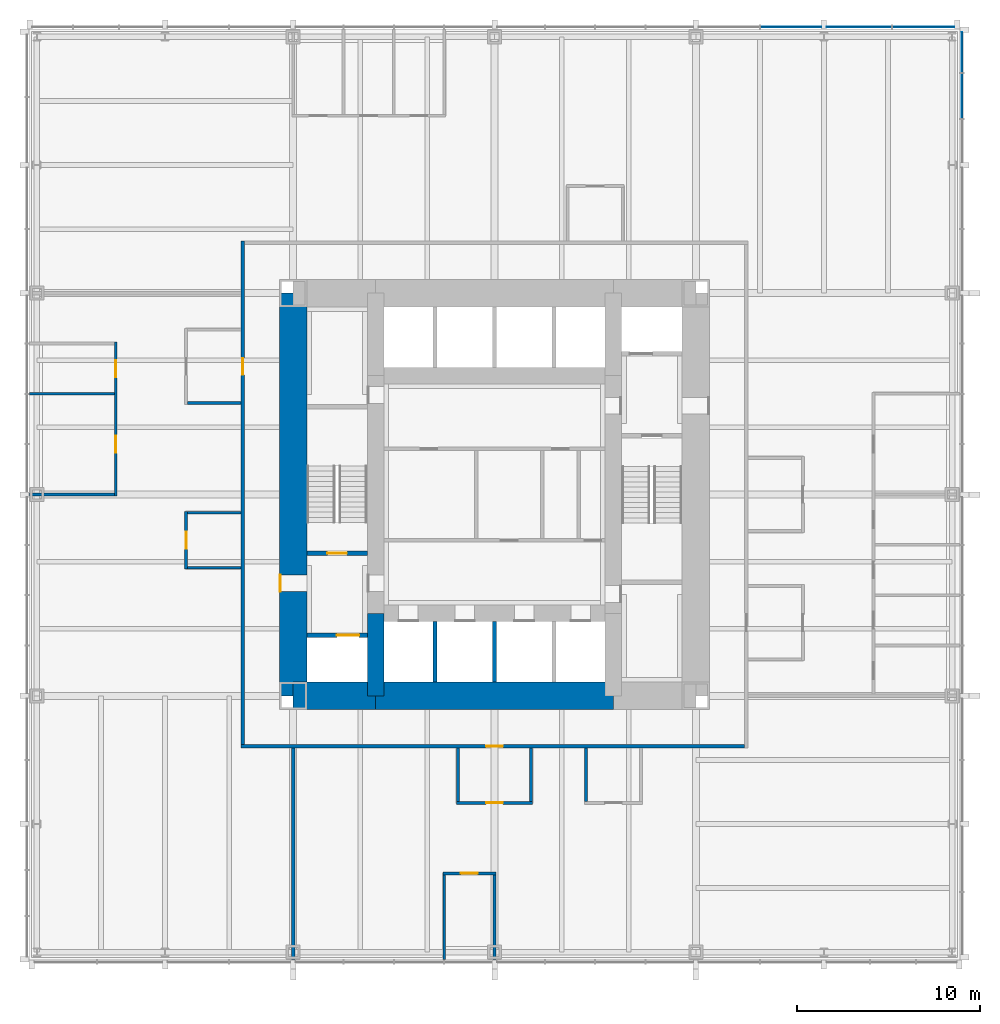
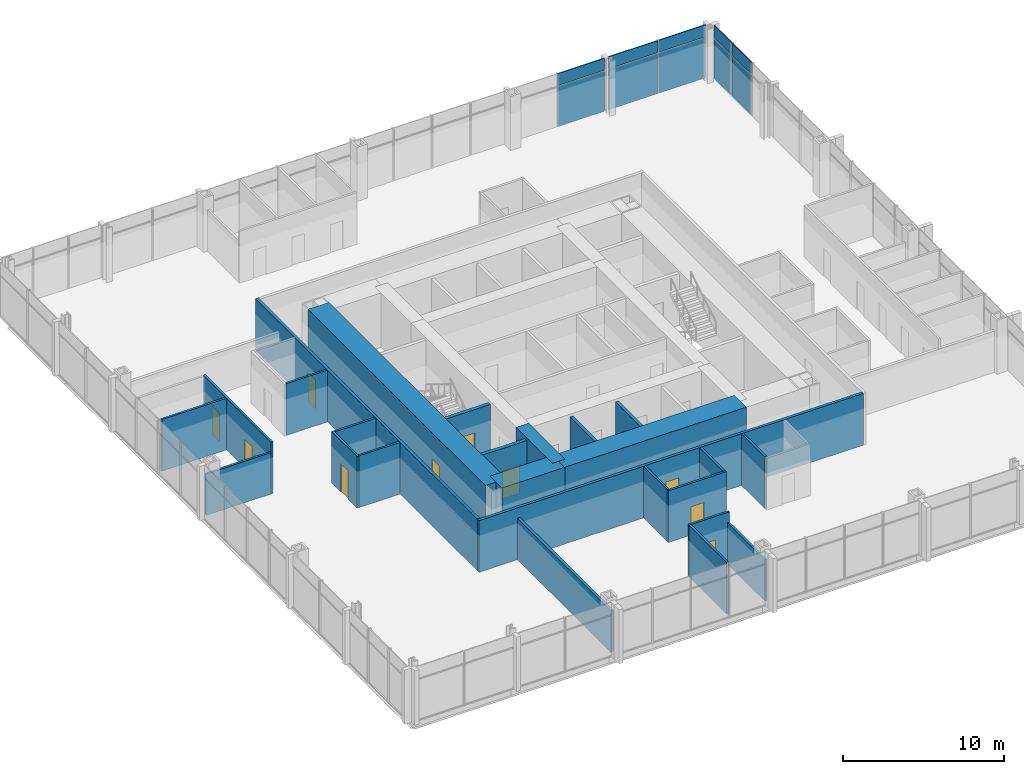
# One storey, part 9 of 12: 25 walls, 10 doors, 10 plates, 10 openings, 2 elements without a shape of their own.
"""IFC4 building model written with IfcOpenShell, lengths in metres."""

from ifc_helpers import new_model, si_unit, direction, frame, frame_2d, origin, origin_2d, place, context, subcontext, project, spatial, rectangle, extrude, material, layer, layer_set, type_object, element, fill, aggregate, save


model = new_model("IFC4")

# Units and contexts
model_context = context("Model", 3, precision=1e-05, world=origin(), true_north=direction((0.0, 1.0)))
body_context = subcontext(model_context, "Body", "Model", "MODEL_VIEW")
ifc_project = project(units=[si_unit("LENGTHUNIT", "METRE"), si_unit("AREAUNIT", "SQUARE_METRE"), si_unit("VOLUMEUNIT", "CUBIC_METRE"), si_unit("PLANEANGLEUNIT", "RADIAN"), si_unit("MASSUNIT", "GRAM", prefix="KILO")], contexts=[model_context])

# Site, building, storey
site_placement = place(None, origin())
site = spatial("IfcSite", under=ifc_project, at=site_placement, CompositionType="ELEMENT")
building_placement = place(site_placement, origin())
building = spatial("IfcBuilding", under=site, at=building_placement, Name="Trevanion Tower", CompositionType="ELEMENT")
storey_placement = place(building_placement, frame((0.0, 0.0, 40.60009765625)))
storey = spatial("IfcBuildingStorey", under=building, at=storey_placement, Name="L09", CompositionType="ELEMENT", Elevation=40.60009765625)

# Curtain wall, plates
ifc_material_1 = material(Name="Aluminium and glass", Category="aluminium")
curtain_wall_type = type_object("IfcCurtainWallType", Name="CW1 curtain wall", PredefinedType="USERDEFINED", material=ifc_material_1)
curtain_wall_1_placement = place(storey_placement, origin())
curtain_wall_1 = element("IfcCurtainWall", 1, at=curtain_wall_1_placement, inside=storey, type_object=curtain_wall_type, Name="CW1 L09 0", ObjectType="UNITISED CURTAIN WALL", PredefinedType="USERDEFINED")
ifc_material_2 = material(Name="Aluminium spandrel panel", Category="aluminium")
ifc_layer_1 = layer(ifc_material_2, 0.06005859375)
ifc_layer_set_1 = layer_set([ifc_layer_1], Name="CW1 spandrel panel")
plate_type_1 = type_object("IfcPlateType", Name="CW1 spandrel panel", PredefinedType="CURTAIN_PANEL", material=ifc_layer_set_1)
plate_1_placement = place(storey_placement, frame((25.550048828125, 21.77490234375, 2.997314453125), z_axis=(0.0, 0.0, 1.0), x_axis=(0.0, 1.0, 0.0)))
plate_1 = element("IfcPlate", 2, at=plate_1_placement, type_object=plate_type_1, Name="CW1 panel 16.2", PredefinedType="CURTAIN_PANEL", context=body_context, shape_type="SweptSolid", body=[
    extrude(rectangle(XDim=2.441650390625, YDim=0.06005859375, at=origin_2d()), origin(), (0.0, 0.0, 1.0), 0.91259765625),
])
plate_2_placement = place(storey_placement, frame((25.550048828125, 24.160400390625, 2.997314453125), z_axis=(0.0, 0.0, 1.0), x_axis=(0.0, 1.0, 0.0)))
plate_2 = element("IfcPlate", 3, at=plate_2_placement, type_object=plate_type_1, Name="CW1 panel 17.2", PredefinedType="CURTAIN_PANEL", context=body_context, shape_type="SweptSolid", body=[
    extrude(rectangle(XDim=2.17919921875, YDim=0.06005859375, at=origin_2d()), origin(), (0.0, 0.0, 1.0), 0.91259765625),
])

curtain_wall_2_placement = place(storey_placement, origin())
curtain_wall_2 = element("IfcCurtainWall", 4, at=curtain_wall_2_placement, inside=storey, type_object=curtain_wall_type, Name="CW1 L09 1", ObjectType="UNITISED CURTAIN WALL", PredefinedType="USERDEFINED")
plate_3_placement = place(storey_placement, frame((23.433837890625, 25.550048828125, 2.997314453125), z_axis=(0.0, 0.0, 1.0), x_axis=(-1.0, 0.0, 0.0)))
plate_3 = element("IfcPlate", 5, at=plate_3_placement, type_object=plate_type_1, Name="CW1 panel 1.2", PredefinedType="CURTAIN_PANEL", context=body_context, shape_type="SweptSolid", body=[
    extrude(rectangle(XDim=3.37255859375, YDim=0.06005859375, at=origin_2d()), origin(), (0.0, 0.0, 1.0), 0.91259765625),
])
plate_4_placement = place(storey_placement, frame((19.911376953125, 25.550048828125, 2.997314453125), z_axis=(0.0, 0.0, 1.0), x_axis=(-1.0, 0.0, 0.0)))
plate_4 = element("IfcPlate", 6, at=plate_4_placement, type_object=plate_type_1, Name="CW1 panel 2.2", PredefinedType="CURTAIN_PANEL", context=body_context, shape_type="SweptSolid", body=[
    extrude(rectangle(XDim=3.5224609375, YDim=0.06005859375, at=origin_2d()), origin(), (0.0, 0.0, 1.0), 0.91259765625),
])
plate_5_placement = place(storey_placement, frame((16.19384765625, 25.550048828125, 2.997314453125), z_axis=(0.0, 0.0, 1.0), x_axis=(-1.0, 0.0, 0.0)))
plate_5 = element("IfcPlate", 7, at=plate_5_placement, type_object=plate_type_1, Name="CW1 panel 3.2", PredefinedType="CURTAIN_PANEL", context=body_context, shape_type="SweptSolid", body=[
    extrude(rectangle(XDim=3.3125, YDim=0.06005859375, at=origin_2d()), origin(), (0.0, 0.0, 1.0), 0.91259765625),
])

# Plate
ifc_material_3 = material(Name="Insulating glass unit", Category="glass")
ifc_layer_2 = layer(ifc_material_3, 0.028076171875)
ifc_layer_set_2 = layer_set([ifc_layer_2], Name="CW1 vision panel")
plate_type_2 = type_object("IfcPlateType", Name="CW1 vision panel", PredefinedType="CURTAIN_PANEL", material=ifc_layer_set_2)
plate_6_placement = place(storey_placement, frame((25.550048828125, 21.77490234375, -0.114990234375), z_axis=(0.0, 0.0, 1.0), x_axis=(0.0, 1.0, 0.0)))
plate_6 = element("IfcPlate", 8, at=plate_6_placement, type_object=plate_type_2, Name="CW1 panel 16.1", PredefinedType="CURTAIN_PANEL", context=body_context, shape_type="SweptSolid", body=[
    extrude(rectangle(XDim=2.441650390625, YDim=0.028076171875, at=origin_2d()), origin(), (0.0, 0.0, 1.0), 3.03759765625),
])

plate_7_placement = place(storey_placement, frame((25.550048828125, 24.160400390625, -0.114990234375), z_axis=(0.0, 0.0, 1.0), x_axis=(0.0, 1.0, 0.0)))
plate_7 = element("IfcPlate", 9, at=plate_7_placement, type_object=plate_type_2, Name="CW1 panel 17.1", PredefinedType="CURTAIN_PANEL", context=body_context, shape_type="SweptSolid", body=[
    extrude(rectangle(XDim=2.17919921875, YDim=0.028076171875, at=origin_2d()), origin(), (0.0, 0.0, 1.0), 3.03759765625),
])

aggregate(curtain_wall_1, [plate_6, plate_1, plate_7, plate_2])

plate_8_placement = place(storey_placement, frame((23.433837890625, 25.550048828125, -0.114990234375), z_axis=(0.0, 0.0, 1.0), x_axis=(-1.0, 0.0, 0.0)))
plate_8 = element("IfcPlate", 10, at=plate_8_placement, type_object=plate_type_2, Name="CW1 panel 1.1", PredefinedType="CURTAIN_PANEL", context=body_context, shape_type="SweptSolid", body=[
    extrude(rectangle(XDim=3.37255859375, YDim=0.028076171875, at=origin_2d()), origin(), (0.0, 0.0, 1.0), 3.03759765625),
])

plate_9_placement = place(storey_placement, frame((19.911376953125, 25.550048828125, -0.114990234375), z_axis=(0.0, 0.0, 1.0), x_axis=(-1.0, 0.0, 0.0)))
plate_9 = element("IfcPlate", 11, at=plate_9_placement, type_object=plate_type_2, Name="CW1 panel 2.1", PredefinedType="CURTAIN_PANEL", context=body_context, shape_type="SweptSolid", body=[
    extrude(rectangle(XDim=3.5224609375, YDim=0.028076171875, at=origin_2d()), origin(), (0.0, 0.0, 1.0), 3.03759765625),
])

plate_10_placement = place(storey_placement, frame((16.19384765625, 25.550048828125, -0.114990234375), z_axis=(0.0, 0.0, 1.0), x_axis=(-1.0, 0.0, 0.0)))
plate_10 = element("IfcPlate", 12, at=plate_10_placement, type_object=plate_type_2, Name="CW1 panel 3.1", PredefinedType="CURTAIN_PANEL", context=body_context, shape_type="SweptSolid", body=[
    extrude(rectangle(XDim=3.3125, YDim=0.028076171875, at=origin_2d()), origin(), (0.0, 0.0, 1.0), 3.03759765625),
])

aggregate(curtain_wall_2, [plate_8, plate_3, plate_9, plate_4, plate_10, plate_5])

# Wall, opening, door
ifc_material_4 = material(Name="Concrete 10,000 psi", Category="concrete")
ifc_layer_3 = layer(ifc_material_4, 1.5)
ifc_layer_set_3 = layer_set([ifc_layer_3], Name="CW1 core wall 1500")
wall_type_1 = type_object("IfcWallType", Name="CW1 core wall 1500", PredefinedType="SHEAR", material=ifc_layer_set_3)
wall_1_placement = place(storey_placement, frame((-11.0, 11.0, 0.0), z_axis=(0.0, 0.0, 1.0), x_axis=(0.0, -1.0, 0.0)))
wall_1 = element("IfcWall", 13, at=wall_1_placement, inside=storey, type_object=wall_type_1, Name="CW1 CW L09", PredefinedType="SHEAR", context=body_context, shape_type="SweptSolid", body=[
    extrude(rectangle(XDim=22.0, YDim=1.5, at=frame_2d((11.0, 0.0))), origin(), (0.0, 0.0, 1.0), 4.099853515625),
])
opening_1_placement = place(wall_1_placement, frame((15.392578125, 0.0, 0.0)))
opening_1 = element("IfcOpeningElement", 14, at=opening_1_placement, cuts=wall_1, Name="Opening 09-002", PredefinedType="OPENING", context=body_context, shape_type="SweptSolid", body=[
    extrude(rectangle(XDim=0.9150390625, YDim=2.134033203125, at=frame_2d((0.45751953125, 1.06689453125))), frame((0.0, 0.760009765625, 0.0), z_axis=(0.0, -1.0, 0.0), x_axis=(1.0, 0.0, 0.0)), (0.0, 0.0, 1.0), 1.52001953125),
])
ifc_material_5 = material(Name="Hollow metal, fire rated", Category="steel")
door_type_1 = type_object("IfcDoorType", Name="D3 fire lift lobby door", OperationType="SINGLE_SWING_RIGHT", PredefinedType="DOOR", material=ifc_material_5)
door_1_placement = place(opening_1_placement, origin())
door_1 = element("IfcDoor", 15, at=door_1_placement, inside=storey, type_object=door_type_1, Name="Door 09-002", OperationType="SINGLE_SWING_RIGHT", OverallHeight=2.134033203125, OverallWidth=0.9150390625, PredefinedType="DOOR", context=body_context, shape_type="SweptSolid", body=[
    extrude(rectangle(XDim=0.9150390625, YDim=2.134033203125, at=frame_2d((0.45751953125, 1.06689453125))), frame((0.0, -0.6748046875, 0.0), z_axis=(0.0, -1.0, 0.0), x_axis=(1.0, 0.0, 0.0)), (0.0, 0.0, 1.0), 0.050048828125),
])
fill(opening_1, door_1)

# Walls
wall_2_placement = place(storey_placement, frame((-11.0, -11.0, 0.0), z_axis=(0.0, 0.0, 1.0), x_axis=(1.0, 0.0, 0.0)))
element("IfcWall", 16, at=wall_2_placement, inside=storey, type_object=wall_type_1, Name="CW1 CS1 L09", PredefinedType="SHEAR", context=body_context, shape_type="SweptSolid", body=[
    extrude(rectangle(XDim=4.5, YDim=1.5, at=frame_2d((2.25, 0.0))), origin(), (0.0, 0.0, 1.0), 4.099853515625),
])
wall_3_placement = place(storey_placement, frame((-6.5, -11.0, 0.0), z_axis=(0.0, 0.0, 1.0), x_axis=(1.0, 0.0, 0.0)))
element("IfcWall", 17, at=wall_3_placement, inside=storey, type_object=wall_type_1, Name="CW1 CS2 L09", PredefinedType="SHEAR", context=body_context, shape_type="SweptSolid", body=[
    extrude(rectangle(XDim=13.0, YDim=1.5, at=frame_2d((6.5, 0.0))), origin(), (0.0, 0.0, 1.0), 4.099853515625),
])
ifc_material_6 = material(Name="Concrete 10,000 psi", Category="concrete")
ifc_layer_4 = layer(ifc_material_6, 0.89990234375)
ifc_layer_set_4 = layer_set([ifc_layer_4], Name="CW2 core wall 900")
wall_type_2 = type_object("IfcWallType", Name="CW2 core wall 900", PredefinedType="SHEAR", material=ifc_layer_set_4)
wall_4_placement = place(storey_placement, frame((-6.5, -6.5, 0.0), z_axis=(0.0, 0.0, 1.0), x_axis=(0.0, -1.0, 0.0)))
element("IfcWall", 18, at=wall_4_placement, inside=storey, type_object=wall_type_2, Name="CW2 RW3 L09", PredefinedType="SHEAR", context=body_context, shape_type="SweptSolid", body=[
    extrude(rectangle(XDim=4.5, YDim=0.89990234375, at=frame_2d((2.25, 0.0))), origin(), (0.0, 0.0, 1.0), 4.099853515625),
])

# Wall, openings, doors
ifc_material_7 = material(Name="Gypsum board on steel studs", Category="steel")
ifc_layer_5 = layer(ifc_material_7, 0.14990234375)
ifc_layer_set_5 = layer_set([ifc_layer_5], Name="PT1 partition 150")
wall_type_3 = type_object("IfcWallType", Name="PT1 partition 150", PredefinedType="PARTITIONING", material=ifc_layer_set_5)
wall_5_placement = place(storey_placement, frame((-20.699951171875, 8.324951171875, 0.0), z_axis=(0.0, 0.0, 1.0), x_axis=(0.0, -1.0, 0.0)))
wall_5 = element("IfcWall", 19, at=wall_5_placement, inside=storey, type_object=wall_type_3, Name="PT1 L09 FC2F", PredefinedType="PARTITIONING", context=body_context, shape_type="SweptSolid", body=[
    extrude(rectangle(XDim=8.39990234375, YDim=0.14990234375, at=frame_2d((4.199951171875, 0.0))), origin(), (0.0, 0.0, 1.0), 3.909912109375),
])
opening_2_placement = place(wall_5_placement, frame((0.992431640625, 0.0, 0.0)))
opening_2 = element("IfcOpeningElement", 20, at=opening_2_placement, cuts=wall_5, Name="Opening 09-027", PredefinedType="OPENING", context=body_context, shape_type="SweptSolid", body=[
    extrude(rectangle(XDim=0.9150390625, YDim=2.134033203125, at=frame_2d((0.45751953125, 1.06689453125))), frame((0.0, 0.0849609375, 0.0), z_axis=(0.0, -1.0, 0.0), x_axis=(1.0, 0.0, 0.0)), (0.0, 0.0, 1.0), 0.169921875),
])
opening_3_placement = place(wall_5_placement, frame((5.117431640625, 0.0, 0.0)))
opening_3 = element("IfcOpeningElement", 21, at=opening_3_placement, cuts=wall_5, Name="Opening 09-028", PredefinedType="OPENING", context=body_context, shape_type="SweptSolid", body=[
    extrude(rectangle(XDim=0.9150390625, YDim=2.134033203125, at=frame_2d((0.45751953125, 1.06689453125))), frame((0.0, 0.0849609375, 0.0), z_axis=(0.0, -1.0, 0.0), x_axis=(1.0, 0.0, 0.0)), (0.0, 0.0, 1.0), 0.169921875),
])
ifc_material_8 = material(Name="Timber veneer, solid core", Category="wood")
door_type_2 = type_object("IfcDoorType", Name="D1 office and meeting room door", OperationType="SINGLE_SWING_LEFT", PredefinedType="DOOR", material=ifc_material_8)
door_2_placement = place(opening_2_placement, origin())
door_2 = element("IfcDoor", 22, at=door_2_placement, inside=storey, type_object=door_type_2, Name="Door 09-027", OperationType="SINGLE_SWING_LEFT", OverallHeight=2.134033203125, OverallWidth=0.9150390625, PredefinedType="DOOR", context=body_context, shape_type="SweptSolid", body=[
    extrude(rectangle(XDim=0.9150390625, YDim=2.134033203125, at=frame_2d((0.45751953125, 1.06689453125))), frame((0.0, 0.02490234375, 0.0), z_axis=(0.0, -1.0, 0.0), x_axis=(1.0, 0.0, 0.0)), (0.0, 0.0, 1.0), 0.050048828125),
])
fill(opening_2, door_2)
door_3_placement = place(opening_3_placement, origin())
door_3 = element("IfcDoor", 23, at=door_3_placement, inside=storey, type_object=door_type_2, Name="Door 09-028", OperationType="SINGLE_SWING_LEFT", OverallHeight=2.134033203125, OverallWidth=0.9150390625, PredefinedType="DOOR", context=body_context, shape_type="SweptSolid", body=[
    extrude(rectangle(XDim=0.9150390625, YDim=2.134033203125, at=frame_2d((0.45751953125, 1.06689453125))), frame((0.0, 0.02490234375, 0.0), z_axis=(0.0, -1.0, 0.0), x_axis=(1.0, 0.0, 0.0)), (0.0, 0.0, 1.0), 0.050048828125),
])
fill(opening_3, door_3)

# Walls
wall_6_placement = place(storey_placement, frame((-20.77490234375, 5.5, 0.0), z_axis=(0.0, 0.0, 1.0), x_axis=(-1.0, 0.0, 0.0)))
element("IfcWall", 24, at=wall_6_placement, inside=storey, type_object=wall_type_3, Name="PT1 L09 FC2S1", PredefinedType="PARTITIONING", context=body_context, shape_type="SweptSolid", body=[
    extrude(rectangle(XDim=4.64013671875, YDim=0.14990234375, at=frame_2d((2.320068359375, 0.0))), origin(), (0.0, 0.0, 1.0), 3.909912109375),
])
wall_7_placement = place(storey_placement, frame((-20.77490234375, 0.0, 0.0), z_axis=(0.0, 0.0, 1.0), x_axis=(-1.0, 0.0, 0.0)))
element("IfcWall", 25, at=wall_7_placement, inside=storey, type_object=wall_type_3, Name="PT1 L09 FC2S3", PredefinedType="PARTITIONING", context=body_context, shape_type="SweptSolid", body=[
    extrude(rectangle(XDim=4.64013671875, YDim=0.14990234375, at=frame_2d((2.320068359375, 0.0))), origin(), (0.0, 0.0, 1.0), 3.130126953125),
])

# Wall, opening, door
wall_8_placement = place(storey_placement, frame((-2.824951171875, -20.699951171875, 0.0), z_axis=(0.0, 0.0, 1.0), x_axis=(1.0, 0.0, 0.0)))
wall_8 = element("IfcWall", 26, at=wall_8_placement, inside=storey, type_object=wall_type_3, Name="PT1 L09 FC3F", PredefinedType="PARTITIONING", context=body_context, shape_type="SweptSolid", body=[
    extrude(rectangle(XDim=2.89990234375, YDim=0.14990234375, at=frame_2d((1.449951171875, 0.0))), origin(), (0.0, 0.0, 1.0), 3.909912109375),
])
opening_4_placement = place(wall_8_placement, frame((0.992431640625, 0.0, 0.0)))
opening_4 = element("IfcOpeningElement", 27, at=opening_4_placement, cuts=wall_8, Name="Opening 09-029", PredefinedType="OPENING", context=body_context, shape_type="SweptSolid", body=[
    extrude(rectangle(XDim=0.9150390625, YDim=2.134033203125, at=frame_2d((0.45751953125, 1.06689453125))), frame((0.0, 0.0849609375, 0.0), z_axis=(0.0, -1.0, 0.0), x_axis=(1.0, 0.0, 0.0)), (0.0, 0.0, 1.0), 0.169921875),
])
door_4_placement = place(opening_4_placement, origin())
door_4 = element("IfcDoor", 28, at=door_4_placement, inside=storey, type_object=door_type_2, Name="Door 09-029", OperationType="SINGLE_SWING_LEFT", OverallHeight=2.134033203125, OverallWidth=0.9150390625, PredefinedType="DOOR", context=body_context, shape_type="SweptSolid", body=[
    extrude(rectangle(XDim=0.9150390625, YDim=2.134033203125, at=frame_2d((0.45751953125, 1.06689453125))), frame((0.0, 0.02490234375, 0.0), z_axis=(0.0, -1.0, 0.0), x_axis=(1.0, 0.0, 0.0)), (0.0, 0.0, 1.0), 0.050048828125),
])
fill(opening_4, door_4)

# Walls
wall_9_placement = place(storey_placement, frame((-2.75, -20.77490234375, 0.0), z_axis=(0.0, 0.0, 1.0), x_axis=(0.0, -1.0, 0.0)))
element("IfcWall", 29, at=wall_9_placement, inside=storey, type_object=wall_type_3, Name="PT1 L09 FC3S0", PredefinedType="PARTITIONING", context=body_context, shape_type="SweptSolid", body=[
    extrude(rectangle(XDim=4.64013671875, YDim=0.14990234375, at=frame_2d((2.320068359375, 0.0))), origin(), (0.0, 0.0, 1.0), 3.909912109375),
])
wall_10_placement = place(storey_placement, frame((0.0, -20.77490234375, 0.0), z_axis=(0.0, 0.0, 1.0), x_axis=(0.0, -1.0, 0.0)))
element("IfcWall", 30, at=wall_10_placement, inside=storey, type_object=wall_type_3, Name="PT1 L09 FC3S1", PredefinedType="PARTITIONING", context=body_context, shape_type="SweptSolid", body=[
    extrude(rectangle(XDim=4.64013671875, YDim=0.14990234375, at=frame_2d((2.320068359375, 0.0))), origin(), (0.0, 0.0, 1.0), 3.130126953125),
])
wall_11_placement = place(storey_placement, frame((-16.77490234375, 5.0, 0.0), z_axis=(0.0, 0.0, 1.0), x_axis=(1.0, 0.0, 0.0)))
element("IfcWall", 31, at=wall_11_placement, inside=storey, type_object=wall_type_3, Name="PT1 L09 IN20S1", PredefinedType="PARTITIONING", context=body_context, shape_type="SweptSolid", body=[
    extrude(rectangle(XDim=2.9248046875, YDim=0.14990234375, at=frame_2d((1.46240234375, 0.0))), origin(), (0.0, 0.0, 1.0), 3.909912109375),
])

# Wall, opening, door
wall_12_placement = place(storey_placement, frame((-16.85009765625, -0.925048828125, 0.0), z_axis=(0.0, 0.0, 1.0), x_axis=(0.0, -1.0, 0.0)))
wall_12 = element("IfcWall", 32, at=wall_12_placement, inside=storey, type_object=wall_type_3, Name="PT1 L09 IN21F", PredefinedType="PARTITIONING", context=body_context, shape_type="SweptSolid", body=[
    extrude(rectangle(XDim=3.14990234375, YDim=0.14990234375, at=frame_2d((1.574951171875, 0.0))), origin(), (0.0, 0.0, 1.0), 3.909912109375),
])
opening_5_placement = place(wall_12_placement, frame((1.117431640625, 0.0, 0.0)))
opening_5 = element("IfcOpeningElement", 33, at=opening_5_placement, cuts=wall_12, Name="Opening 09-035", PredefinedType="OPENING", context=body_context, shape_type="SweptSolid", body=[
    extrude(rectangle(XDim=0.9150390625, YDim=2.134033203125, at=frame_2d((0.45751953125, 1.06689453125))), frame((0.0, 0.0849609375, 0.0), z_axis=(0.0, -1.0, 0.0), x_axis=(1.0, 0.0, 0.0)), (0.0, 0.0, 1.0), 0.169921875),
])
door_5_placement = place(opening_5_placement, origin())
door_5 = element("IfcDoor", 34, at=door_5_placement, inside=storey, type_object=door_type_2, Name="Door 09-035", OperationType="SINGLE_SWING_LEFT", OverallHeight=2.134033203125, OverallWidth=0.9150390625, PredefinedType="DOOR", context=body_context, shape_type="SweptSolid", body=[
    extrude(rectangle(XDim=0.9150390625, YDim=2.134033203125, at=frame_2d((0.45751953125, 1.06689453125))), frame((0.0, 0.02490234375, 0.0), z_axis=(0.0, -1.0, 0.0), x_axis=(1.0, 0.0, 0.0)), (0.0, 0.0, 1.0), 0.050048828125),
])
fill(opening_5, door_5)

# Walls
for number, where, z_axis, x_axis, name in (
    (35, (-16.77490234375, -1.0, 0.0), (0.0, 0.0, 1.0), (1.0, 0.0, 0.0), "PT1 L09 IN21S0"),
    (36, (-16.77490234375, -4.0, 0.0), (0.0, 0.0, 1.0), (1.0, 0.0, 0.0), "PT1 L09 IN21S1"),
):
    element("IfcWall", number, at=place(storey_placement, frame(where, z_axis=z_axis, x_axis=x_axis)), inside=storey, type_object=wall_type_3, Name=name, PredefinedType="PARTITIONING", context=body_context, shape_type="SweptSolid", body=[
        extrude(rectangle(XDim=2.9248046875, YDim=0.14990234375, at=frame_2d((1.46240234375, 0.0))), origin(), (0.0, 0.0, 1.0), 3.909912109375),
    ])

# Wall, opening, door
wall_13_placement = place(storey_placement, frame((-2.074951171875, -16.85009765625, 0.0), z_axis=(0.0, 0.0, 1.0), x_axis=(1.0, 0.0, 0.0)))
wall_13 = element("IfcWall", 37, at=wall_13_placement, inside=storey, type_object=wall_type_3, Name="PT1 L09 IN30F", PredefinedType="PARTITIONING", context=body_context, shape_type="SweptSolid", body=[
    extrude(rectangle(XDim=4.14990234375, YDim=0.14990234375, at=frame_2d((2.074951171875, 0.0))), origin(), (0.0, 0.0, 1.0), 3.909912109375),
])
opening_6_placement = place(wall_13_placement, frame((1.617431640625, 0.0, 0.0)))
opening_6 = element("IfcOpeningElement", 38, at=opening_6_placement, cuts=wall_13, Name="Opening 09-036", PredefinedType="OPENING", context=body_context, shape_type="SweptSolid", body=[
    extrude(rectangle(XDim=0.9150390625, YDim=2.134033203125, at=frame_2d((0.45751953125, 1.06689453125))), frame((0.0, 0.0849609375, 0.0), z_axis=(0.0, -1.0, 0.0), x_axis=(1.0, 0.0, 0.0)), (0.0, 0.0, 1.0), 0.169921875),
])
door_6_placement = place(opening_6_placement, origin())
door_6 = element("IfcDoor", 39, at=door_6_placement, inside=storey, type_object=door_type_2, Name="Door 09-036", OperationType="SINGLE_SWING_LEFT", OverallHeight=2.134033203125, OverallWidth=0.9150390625, PredefinedType="DOOR", context=body_context, shape_type="SweptSolid", body=[
    extrude(rectangle(XDim=0.9150390625, YDim=2.134033203125, at=frame_2d((0.45751953125, 1.06689453125))), frame((0.0, 0.02490234375, 0.0), z_axis=(0.0, -1.0, 0.0), x_axis=(1.0, 0.0, 0.0)), (0.0, 0.0, 1.0), 0.050048828125),
])
fill(opening_6, door_6)

# Walls
for number, where, z_axis, x_axis, name in (
    (40, (-2.0, -16.77490234375, 0.0), (0.0, 0.0, 1.0), (0.0, 1.0, 0.0), "PT1 L09 IN30S0"),
    (41, (2.0, -16.77490234375, 0.0), (0.0, 0.0, 1.0), (0.0, 1.0, 0.0), "PT1 L09 IN30S1"),
    (42, (5.0, -16.77490234375, 0.0), (0.0, 0.0, 1.0), (0.0, 1.0, 0.0), "PT1 L09 IN31S0"),
):
    element("IfcWall", number, at=place(storey_placement, frame(where, z_axis=z_axis, x_axis=x_axis)), inside=storey, type_object=wall_type_3, Name=name, PredefinedType="PARTITIONING", context=body_context, shape_type="SweptSolid", body=[
        extrude(rectangle(XDim=2.9248046875, YDim=0.14990234375, at=frame_2d((1.46240234375, 0.0))), origin(), (0.0, 0.0, 1.0), 3.909912109375),
    ])

# Wall, opening, door
ifc_material_9 = material(Name="Concrete masonry, grouted", Category="masonry")
ifc_layer_6 = layer(ifc_material_9, 0.199951171875)
ifc_layer_set_6 = layer_set([ifc_layer_6], Name="PT2 partition 200 1 HR")
wall_type_4 = type_object("IfcWallType", Name="PT2 partition 200 1 HR", PredefinedType="PARTITIONING", material=ifc_layer_set_6)
wall_14_placement = place(storey_placement, frame((-13.75, 13.85009765625, 0.0), z_axis=(0.0, 0.0, 1.0), x_axis=(0.0, -1.0, 0.0)))
wall_14 = element("IfcWall", 43, at=wall_14_placement, inside=storey, type_object=wall_type_4, Name="PT2 L09 OC2", PredefinedType="PARTITIONING", context=body_context, shape_type="SweptSolid", body=[
    extrude(rectangle(XDim=27.5, YDim=0.199951171875, at=frame_2d((13.75, 0.0))), origin(), (0.0, 0.0, 1.0), 3.909912109375),
])
opening_7_placement = place(wall_14_placement, frame((6.392578125, 0.0, 0.0)))
opening_7 = element("IfcOpeningElement", 44, at=opening_7_placement, cuts=wall_14, Name="Opening 09-034", PredefinedType="OPENING", context=body_context, shape_type="SweptSolid", body=[
    extrude(rectangle(XDim=0.9150390625, YDim=2.134033203125, at=frame_2d((0.45751953125, 1.06689453125))), frame((0.0, 0.10986328125, 0.0), z_axis=(0.0, -1.0, 0.0), x_axis=(1.0, 0.0, 0.0)), (0.0, 0.0, 1.0), 0.219970703125),
])
ifc_material_10 = material(Name="Timber veneer, fire rated", Category="wood")
door_type_3 = type_object("IfcDoorType", Name="D10 office door in a one hour wall", OperationType="SINGLE_SWING_LEFT", PredefinedType="DOOR", material=ifc_material_10)
door_7_placement = place(opening_7_placement, origin())
door_7 = element("IfcDoor", 45, at=door_7_placement, inside=storey, type_object=door_type_3, Name="Door 09-034", OperationType="SINGLE_SWING_LEFT", OverallHeight=2.134033203125, OverallWidth=0.9150390625, PredefinedType="DOOR", context=body_context, shape_type="SweptSolid", body=[
    extrude(rectangle(XDim=0.9150390625, YDim=2.134033203125, at=frame_2d((0.45751953125, 1.06689453125))), frame((0.0, 0.02490234375, 0.0), z_axis=(0.0, -1.0, 0.0), x_axis=(1.0, 0.0, 0.0)), (0.0, 0.0, 1.0), 0.050048828125),
])
fill(opening_7, door_7)

wall_15_placement = place(storey_placement, frame((-13.85009765625, -13.75, 0.0), z_axis=(0.0, 0.0, 1.0), x_axis=(1.0, 0.0, 0.0)))
wall_15 = element("IfcWall", 46, at=wall_15_placement, inside=storey, type_object=wall_type_4, Name="PT2 L09 OC3", PredefinedType="PARTITIONING", context=body_context, shape_type="SweptSolid", body=[
    extrude(rectangle(XDim=27.5, YDim=0.199951171875, at=frame_2d((13.75, 0.0))), origin(), (0.0, 0.0, 1.0), 3.909912109375),
])
opening_8_placement = place(wall_15_placement, frame((13.392578125, 0.0, 0.0)))
opening_8 = element("IfcOpeningElement", 47, at=opening_8_placement, cuts=wall_15, Name="Opening 09-037", PredefinedType="OPENING", context=body_context, shape_type="SweptSolid", body=[
    extrude(rectangle(XDim=0.9150390625, YDim=2.134033203125, at=frame_2d((0.45751953125, 1.06689453125))), frame((0.0, 0.10986328125, 0.0), z_axis=(0.0, -1.0, 0.0), x_axis=(1.0, 0.0, 0.0)), (0.0, 0.0, 1.0), 0.219970703125),
])
door_8_placement = place(opening_8_placement, origin())
door_8 = element("IfcDoor", 48, at=door_8_placement, inside=storey, type_object=door_type_3, Name="Door 09-037", OperationType="SINGLE_SWING_LEFT", OverallHeight=2.134033203125, OverallWidth=0.9150390625, PredefinedType="DOOR", context=body_context, shape_type="SweptSolid", body=[
    extrude(rectangle(XDim=0.9150390625, YDim=2.134033203125, at=frame_2d((0.45751953125, 1.06689453125))), frame((0.0, 0.02490234375, 0.0), z_axis=(0.0, -1.0, 0.0), x_axis=(1.0, 0.0, 0.0)), (0.0, 0.0, 1.0), 0.050048828125),
])
fill(opening_8, door_8)

# Walls
wall_16_placement = place(storey_placement, frame((-11.0, -13.85009765625, 0.0), z_axis=(0.0, 0.0, 1.0), x_axis=(0.0, -1.0, 0.0)))
element("IfcWall", 49, at=wall_16_placement, inside=storey, type_object=wall_type_4, Name="PT2 L09 DM2", PredefinedType="PARTITIONING", context=body_context, shape_type="SweptSolid", body=[
    extrude(rectangle(XDim=11.56494140625, YDim=0.199951171875, at=frame_2d((5.782470703125, 0.0))), origin(), (0.0, 0.0, 1.0), 3.130126953125),
])
ifc_material_11 = material(Name="Concrete masonry, grouted", Category="masonry")
ifc_layer_7 = layer(ifc_material_11, 0.199951171875)
ifc_layer_set_7 = layer_set([ifc_layer_7], Name="PT2 partition 200 2 HR")
wall_type_5 = type_object("IfcWallType", Name="PT2 partition 200 2 HR", PredefinedType="PARTITIONING", material=ifc_layer_set_7)
for number, where, z_axis, x_axis, name in (
    (50, (-3.25, -10.25, 0.0), (0.0, 0.0, 1.0), (0.0, 1.0, 0.0), "PT2 L09 SS0"),
    (51, (0.0, -10.25, 0.0), (0.0, 0.0, 1.0), (0.0, 1.0, 0.0), "PT2 L09 SS1"),
):
    element("IfcWall", number, at=place(storey_placement, frame(where, z_axis=z_axis, x_axis=x_axis)), inside=storey, type_object=wall_type_5, Name=name, PredefinedType="PARTITIONING", context=body_context, shape_type="SweptSolid", body=[
        extrude(rectangle(XDim=3.300048828125, YDim=0.199951171875, at=frame_2d((1.64990234375, 0.0))), origin(), (0.0, 0.0, 1.0), 3.909912109375),
    ])

# Wall, opening, door
ifc_material_12 = material(Name="Concrete masonry, grouted, two-hour", Category="masonry")
ifc_layer_8 = layer(ifc_material_12, 0.25)
ifc_layer_set_8 = layer_set([ifc_layer_8], Name="PT3 partition 250 2 HR")
wall_type_6 = type_object("IfcWallType", Name="PT3 partition 250 2 HR", PredefinedType="PARTITIONING", material=ifc_layer_set_8)
wall_17_placement = place(storey_placement, frame((-6.949951171875, -7.699951171875, 0.0), z_axis=(0.0, 0.0, 1.0), x_axis=(-1.0, 0.0, 0.0)))
wall_17 = element("IfcWall", 52, at=wall_17_placement, inside=storey, type_object=wall_type_6, Name="PT3 L09 WP3", PredefinedType="PARTITIONING", context=body_context, shape_type="SweptSolid", body=[
    extrude(rectangle(XDim=3.300048828125, YDim=0.25, at=frame_2d((1.64990234375, 0.0))), origin(), (0.0, 0.0, 1.0), 3.909912109375),
])
opening_9_placement = place(wall_17_placement, frame((0.449951171875, 0.0, 0.0)))
opening_9 = element("IfcOpeningElement", 53, at=opening_9_placement, cuts=wall_17, Name="Opening 09-008", PredefinedType="OPENING", context=body_context, shape_type="SweptSolid", body=[
    extrude(rectangle(XDim=1.218994140625, YDim=2.134033203125, at=frame_2d((0.609375, 1.06689453125))), frame((0.0, 0.135009765625, 0.0), z_axis=(0.0, -1.0, 0.0), x_axis=(1.0, 0.0, 0.0)), (0.0, 0.0, 1.0), 0.27001953125),
])
ifc_material_13 = material(Name="Stainless steel, fire rated", Category="steel")
door_type_4 = type_object("IfcDoorType", Name="LD2 fire service lift landing door", OperationType="SLIDING_TO_LEFT", PredefinedType="DOOR", material=ifc_material_13)
door_9_placement = place(opening_9_placement, origin())
door_9 = element("IfcDoor", 54, at=door_9_placement, inside=storey, type_object=door_type_4, Name="Door 09-008", OperationType="SLIDING_TO_LEFT", OverallHeight=2.134033203125, OverallWidth=1.218994140625, PredefinedType="DOOR", context=body_context, shape_type="SweptSolid", body=[
    extrude(rectangle(XDim=1.218994140625, YDim=2.134033203125, at=frame_2d((0.609375, 1.06689453125))), frame((0.0, 0.02490234375, 0.0), z_axis=(0.0, -1.0, 0.0), x_axis=(1.0, 0.0, 0.0)), (0.0, 0.0, 1.0), 0.050048828125),
])
fill(opening_9, door_9)

ifc_material_14 = material(Name="Reinforced masonry, fully grouted", Category="masonry")
ifc_layer_9 = layer(ifc_material_14, 0.25)
ifc_layer_set_9 = layer_set([ifc_layer_9], Name="SW1 stair shaft wall 250")
wall_type_7 = type_object("IfcWallType", Name="SW1 stair shaft wall 250", PredefinedType="SOLIDWALL", material=ifc_layer_set_9)
wall_18_placement = place(storey_placement, frame((-6.949951171875, -3.199951171875, 0.0), z_axis=(0.0, 0.0, 1.0), x_axis=(-1.0, 0.0, 0.0)))
wall_18 = element("IfcWall", 55, at=wall_18_placement, inside=storey, type_object=wall_type_7, Name="SW1 L09 WP2", PredefinedType="SOLIDWALL", context=body_context, shape_type="SweptSolid", body=[
    extrude(rectangle(XDim=3.300048828125, YDim=0.25, at=frame_2d((1.64990234375, 0.0))), origin(), (0.0, 0.0, 1.0), 3.909912109375),
])
opening_10_placement = place(wall_18_placement, frame((1.116455078125, 0.0, 0.0)))
opening_10 = element("IfcOpeningElement", 56, at=opening_10_placement, cuts=wall_18, Name="Opening 09-006", PredefinedType="OPENING", context=body_context, shape_type="SweptSolid", body=[
    extrude(rectangle(XDim=1.06689453125, YDim=2.134033203125, at=frame_2d((0.533447265625, 1.06689453125))), frame((0.0, 0.135009765625, 0.0), z_axis=(0.0, -1.0, 0.0), x_axis=(1.0, 0.0, 0.0)), (0.0, 0.0, 1.0), 0.27001953125),
])
ifc_material_15 = material(Name="Hollow metal, fire rated", Category="steel")
door_type_5 = type_object("IfcDoorType", Name="D2 exit stair door", OperationType="SINGLE_SWING_LEFT", PredefinedType="DOOR", material=ifc_material_15)
door_10_placement = place(opening_10_placement, origin())
door_10 = element("IfcDoor", 57, at=door_10_placement, inside=storey, type_object=door_type_5, Name="Door 09-006", OperationType="SINGLE_SWING_LEFT", OverallHeight=2.134033203125, OverallWidth=1.06689453125, PredefinedType="DOOR", context=body_context, shape_type="SweptSolid", body=[
    extrude(rectangle(XDim=1.06689453125, YDim=2.134033203125, at=frame_2d((0.533447265625, 1.06689453125))), frame((0.0, 0.02490234375, 0.0), z_axis=(0.0, -1.0, 0.0), x_axis=(1.0, 0.0, 0.0)), (0.0, 0.0, 1.0), 0.050048828125),
])
fill(opening_10, door_10)

save(model, "model.ifc")
